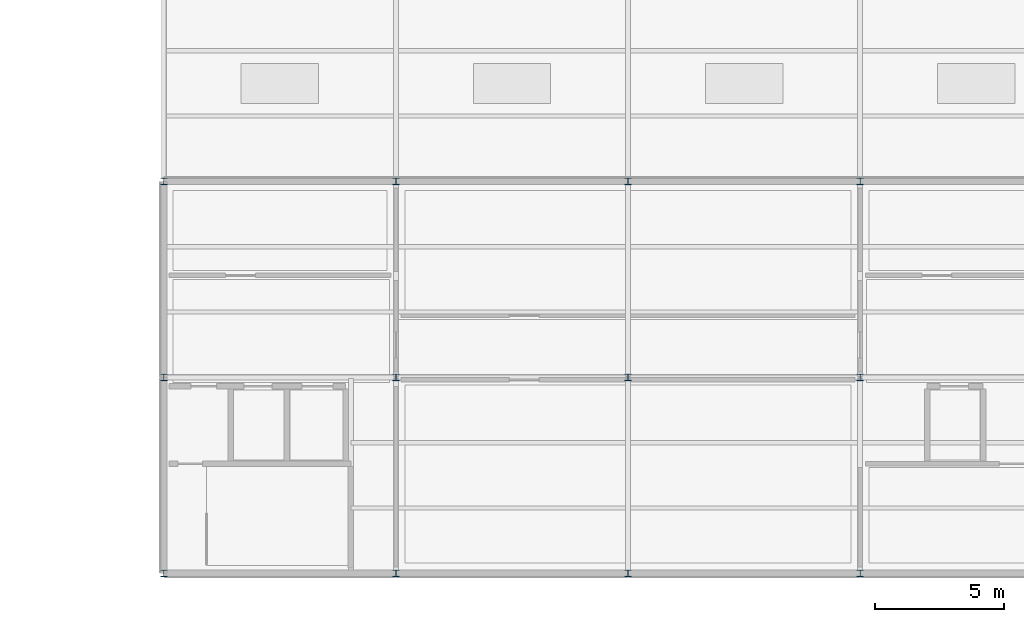
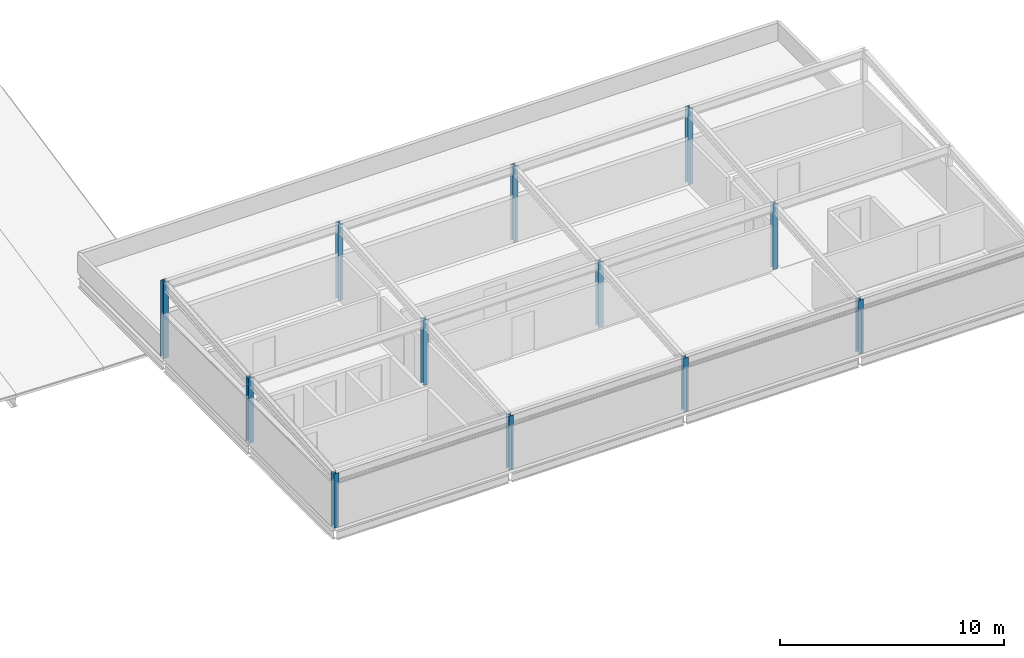
# One storey, part 1 of 21: 12 columns.
"""IFC4 building model written with IfcOpenShell, lengths in metres."""

from ifc_helpers import new_model, si_unit, direction, frame, origin, origin_2d, place, context, subcontext, project, spatial, i_section, extrude, material, material_profile, profile_set, type_object, element, save


model = new_model("IFC4")

# Units and contexts
model_context = context("Model", 3, precision=1e-05, world=origin(), true_north=direction((0.0, 1.0)))
body_context = subcontext(model_context, "Body", "Model", "MODEL_VIEW")
ifc_project = project(units=[si_unit("LENGTHUNIT", "METRE"), si_unit("AREAUNIT", "SQUARE_METRE"), si_unit("VOLUMEUNIT", "CUBIC_METRE"), si_unit("PLANEANGLEUNIT", "RADIAN"), si_unit("MASSUNIT", "GRAM", prefix="KILO")], contexts=[model_context])

# Site, building, storey
site_placement = place(None, origin())
site = spatial("IfcSite", under=ifc_project, at=site_placement, CompositionType="ELEMENT")
building_placement = place(site_placement, origin())
building = spatial("IfcBuilding", under=site, at=building_placement, Name="Caisbarro Railhouse Central Library", CompositionType="ELEMENT")
storey_placement = place(building_placement, frame((0.0, 0.0, 26.639892578125)))
storey = spatial("IfcBuildingStorey", under=building, at=storey_placement, Name="RF", CompositionType="ELEMENT", Elevation=26.639892578125)

# Columns
ifc_material = material(Name="Steel ASTM A572 Grade 50", Category="steel")
ifc_material_profile = material_profile(ifc_material, i_section(OverallWidth=0.25390625, OverallDepth=0.2529296875, WebThickness=0.008544921875, FlangeThickness=0.01416015625, FilletRadius=0.011962890625, at=origin_2d()), Name="W250X73.0")
ifc_profile_set = profile_set([ifc_material_profile], Name="Steel ASTM A572 Grade 50")
column_type = type_object("IfcColumnType", Name="COL-C08", PredefinedType="COLUMN", material=ifc_profile_set)
column_1_placement = place(storey_placement, frame((63.0, 0.0, 0.0), z_axis=(0.0, 0.0, 1.0), x_axis=(1.0, 0.0, 0.0)))
element("IfcColumn", 1, at=column_1_placement, inside=storey, type_object=column_type, Name="C08 column RF (63.0,0.0)", PredefinedType="COLUMN", context=body_context, shape_type="SweptSolid", body=[
    extrude(i_section(OverallWidth=0.25390625, OverallDepth=0.2529296875, WebThickness=0.008544921875, FlangeThickness=0.01416015625, FilletRadius=0.011962890625, at=origin_2d()), origin(), (0.0, 0.0, 1.0), 2.940185546875),
])
column_2_placement = place(storey_placement, frame((63.0, 7.60009765625, 0.0), z_axis=(0.0, 0.0, 1.0), x_axis=(1.0, 0.0, 0.0)))
element("IfcColumn", 2, at=column_2_placement, inside=storey, type_object=column_type, Name="C08 column RF (63.0,7.6)", PredefinedType="COLUMN", context=body_context, shape_type="SweptSolid", body=[
    extrude(i_section(OverallWidth=0.25390625, OverallDepth=0.2529296875, WebThickness=0.008544921875, FlangeThickness=0.01416015625, FilletRadius=0.011962890625, at=origin_2d()), origin(), (0.0, 0.0, 1.0), 3.5400390625),
])
column_3_placement = place(storey_placement, frame((63.0, 15.199951171875, 0.0), z_axis=(0.0, 0.0, 1.0), x_axis=(1.0, 0.0, 0.0)))
element("IfcColumn", 3, at=column_3_placement, inside=storey, type_object=column_type, Name="C08 column RF (63.0,15.2)", PredefinedType="COLUMN", context=body_context, shape_type="SweptSolid", body=[
    extrude(i_section(OverallWidth=0.25390625, OverallDepth=0.2529296875, WebThickness=0.008544921875, FlangeThickness=0.01416015625, FilletRadius=0.011962890625, at=origin_2d()), origin(), (0.0, 0.0, 1.0), 4.14013671875),
])
column_4_placement = place(storey_placement, frame((72.0, 0.0, 0.0), z_axis=(0.0, 0.0, 1.0), x_axis=(1.0, 0.0, 0.0)))
element("IfcColumn", 4, at=column_4_placement, inside=storey, type_object=column_type, Name="C08 column RF (72.0,0.0)", PredefinedType="COLUMN", context=body_context, shape_type="SweptSolid", body=[
    extrude(i_section(OverallWidth=0.25390625, OverallDepth=0.2529296875, WebThickness=0.008544921875, FlangeThickness=0.01416015625, FilletRadius=0.011962890625, at=origin_2d()), origin(), (0.0, 0.0, 1.0), 2.940185546875),
])
column_5_placement = place(storey_placement, frame((72.0, 7.60009765625, 0.0), z_axis=(0.0, 0.0, 1.0), x_axis=(1.0, 0.0, 0.0)))
element("IfcColumn", 5, at=column_5_placement, inside=storey, type_object=column_type, Name="C08 column RF (72.0,7.6)", PredefinedType="COLUMN", context=body_context, shape_type="SweptSolid", body=[
    extrude(i_section(OverallWidth=0.25390625, OverallDepth=0.2529296875, WebThickness=0.008544921875, FlangeThickness=0.01416015625, FilletRadius=0.011962890625, at=origin_2d()), origin(), (0.0, 0.0, 1.0), 3.5400390625),
])
column_6_placement = place(storey_placement, frame((72.0, 15.199951171875, 0.0), z_axis=(0.0, 0.0, 1.0), x_axis=(1.0, 0.0, 0.0)))
element("IfcColumn", 6, at=column_6_placement, inside=storey, type_object=column_type, Name="C08 column RF (72.0,15.2)", PredefinedType="COLUMN", context=body_context, shape_type="SweptSolid", body=[
    extrude(i_section(OverallWidth=0.25390625, OverallDepth=0.2529296875, WebThickness=0.008544921875, FlangeThickness=0.01416015625, FilletRadius=0.011962890625, at=origin_2d()), origin(), (0.0, 0.0, 1.0), 4.14013671875),
])
column_7_placement = place(storey_placement, frame((81.0, 0.0, 0.0), z_axis=(0.0, 0.0, 1.0), x_axis=(1.0, 0.0, 0.0)))
element("IfcColumn", 7, at=column_7_placement, inside=storey, type_object=column_type, Name="C08 column RF (81.0,0.0)", PredefinedType="COLUMN", context=body_context, shape_type="SweptSolid", body=[
    extrude(i_section(OverallWidth=0.25390625, OverallDepth=0.2529296875, WebThickness=0.008544921875, FlangeThickness=0.01416015625, FilletRadius=0.011962890625, at=origin_2d()), origin(), (0.0, 0.0, 1.0), 2.940185546875),
])
column_8_placement = place(storey_placement, frame((81.0, 7.60009765625, 0.0), z_axis=(0.0, 0.0, 1.0), x_axis=(1.0, 0.0, 0.0)))
element("IfcColumn", 8, at=column_8_placement, inside=storey, type_object=column_type, Name="C08 column RF (81.0,7.6)", PredefinedType="COLUMN", context=body_context, shape_type="SweptSolid", body=[
    extrude(i_section(OverallWidth=0.25390625, OverallDepth=0.2529296875, WebThickness=0.008544921875, FlangeThickness=0.01416015625, FilletRadius=0.011962890625, at=origin_2d()), origin(), (0.0, 0.0, 1.0), 3.5400390625),
])
column_9_placement = place(storey_placement, frame((81.0, 15.199951171875, 0.0), z_axis=(0.0, 0.0, 1.0), x_axis=(1.0, 0.0, 0.0)))
element("IfcColumn", 9, at=column_9_placement, inside=storey, type_object=column_type, Name="C08 column RF (81.0,15.2)", PredefinedType="COLUMN", context=body_context, shape_type="SweptSolid", body=[
    extrude(i_section(OverallWidth=0.25390625, OverallDepth=0.2529296875, WebThickness=0.008544921875, FlangeThickness=0.01416015625, FilletRadius=0.011962890625, at=origin_2d()), origin(), (0.0, 0.0, 1.0), 4.14013671875),
])
column_10_placement = place(storey_placement, frame((90.0, 0.0, 0.0), z_axis=(0.0, 0.0, 1.0), x_axis=(1.0, 0.0, 0.0)))
element("IfcColumn", 10, at=column_10_placement, inside=storey, type_object=column_type, Name="C08 column RF (90.0,0.0)", PredefinedType="COLUMN", context=body_context, shape_type="SweptSolid", body=[
    extrude(i_section(OverallWidth=0.25390625, OverallDepth=0.2529296875, WebThickness=0.008544921875, FlangeThickness=0.01416015625, FilletRadius=0.011962890625, at=origin_2d()), origin(), (0.0, 0.0, 1.0), 2.940185546875),
])
column_11_placement = place(storey_placement, frame((90.0, 7.60009765625, 0.0), z_axis=(0.0, 0.0, 1.0), x_axis=(1.0, 0.0, 0.0)))
element("IfcColumn", 11, at=column_11_placement, inside=storey, type_object=column_type, Name="C08 column RF (90.0,7.6)", PredefinedType="COLUMN", context=body_context, shape_type="SweptSolid", body=[
    extrude(i_section(OverallWidth=0.25390625, OverallDepth=0.2529296875, WebThickness=0.008544921875, FlangeThickness=0.01416015625, FilletRadius=0.011962890625, at=origin_2d()), origin(), (0.0, 0.0, 1.0), 3.5400390625),
])
column_12_placement = place(storey_placement, frame((90.0, 15.199951171875, 0.0), z_axis=(0.0, 0.0, 1.0), x_axis=(1.0, 0.0, 0.0)))
element("IfcColumn", 12, at=column_12_placement, inside=storey, type_object=column_type, Name="C08 column RF (90.0,15.2)", PredefinedType="COLUMN", context=body_context, shape_type="SweptSolid", body=[
    extrude(i_section(OverallWidth=0.25390625, OverallDepth=0.2529296875, WebThickness=0.008544921875, FlangeThickness=0.01416015625, FilletRadius=0.011962890625, at=origin_2d()), origin(), (0.0, 0.0, 1.0), 4.14013671875),
])

save(model, "model.ifc")
